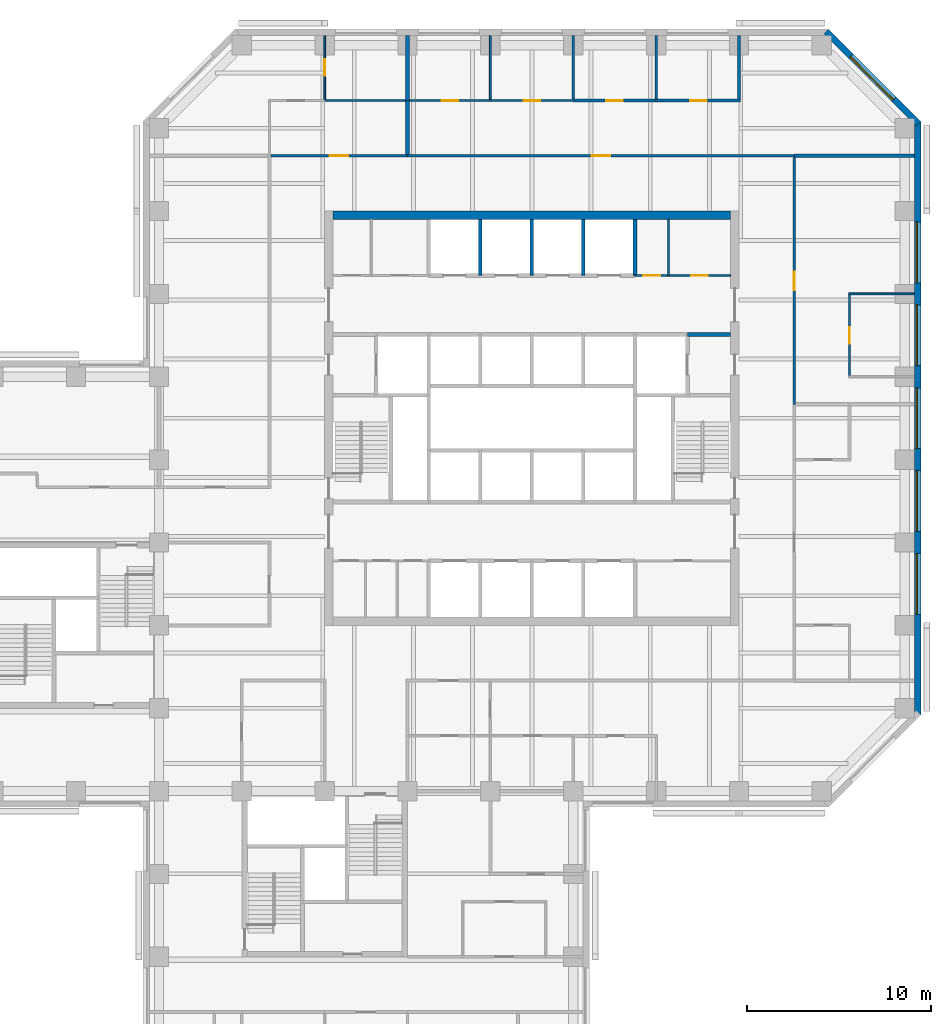
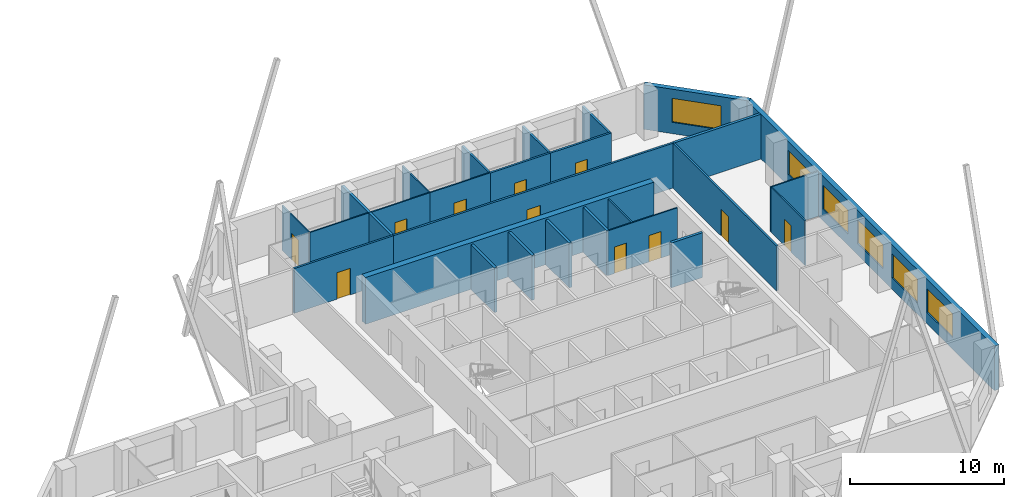
# One storey, part 8 of 10: 28 walls, 11 doors, 6 windows, 17 openings.
"""IFC4 building model written with IfcOpenShell, lengths in metres."""

from ifc_helpers import new_model, si_unit, direction, frame, frame_2d, origin, place, context, subcontext, project, spatial, rectangle, extrude, material, layer, layer_set, constituent, constituent_set, type_object, element, fill, save


model = new_model("IFC4")

# Units and contexts
model_context = context("Model", 3, precision=1e-05, world=origin(), true_north=direction((0.0, 1.0)))
body_context = subcontext(model_context, "Body", "Model", "MODEL_VIEW")
ifc_project = project(units=[si_unit("LENGTHUNIT", "METRE"), si_unit("AREAUNIT", "SQUARE_METRE"), si_unit("VOLUMEUNIT", "CUBIC_METRE"), si_unit("PLANEANGLEUNIT", "RADIAN"), si_unit("MASSUNIT", "GRAM", prefix="KILO")], contexts=[model_context])

# Site, building, storey
site_placement = place(None, origin())
site = spatial("IfcSite", under=ifc_project, at=site_placement, CompositionType="ELEMENT")
building_placement = place(site_placement, origin())
building = spatial("IfcBuilding", under=site, at=building_placement, Name="Quoin Convention Tower", CompositionType="ELEMENT")
storey_placement = place(building_placement, frame((0.0, 0.0, 97.39990234375)))
storey = spatial("IfcBuildingStorey", under=building, at=storey_placement, Name="L25", CompositionType="ELEMENT", Elevation=97.39990234375)

# Wall, opening, door
ifc_material_1 = material(Name="Plasterboard")
ifc_layer_1 = layer(ifc_material_1, 0.012451171875, Name="Finish")
ifc_material_2 = material(Name="Steel stud framing", Category="steel")
ifc_layer_2 = layer(ifc_material_2, 0.125, Name="Structure")
ifc_layer_3 = layer(ifc_material_1, 0.012451171875, Name="Finish")
ifc_layer_set_1 = layer_set([ifc_layer_1, ifc_layer_2, ifc_layer_3], Name="Steel stud framing")
wall_type_1 = type_object("IfcWallType", Name="Acoustic partition 150", PredefinedType="PARTITIONING", material=ifc_layer_set_1)
wall_1_placement = place(storey_placement, frame((58.5, 78.0, 0.0), z_axis=(0.0, 0.0, 1.0), x_axis=(1.0, 0.0, 0.0)))
wall_1 = element("IfcWall", 1, at=wall_1_placement, inside=storey, type_object=wall_type_1, Name="pw-L25-047", PredefinedType="PARTITIONING", context=body_context, shape_type="SweptSolid", body=[
    extrude(rectangle(XDim=4.5, YDim=0.14990234375, at=frame_2d((2.25, 0.0))), origin(), (0.0, 0.0, 1.0), 3.550048828125),
])
opening_1_placement = place(wall_1_placement, frame((1.800048828125, 0.0, 0.0)))
opening_1 = element("IfcOpeningElement", 2, at=opening_1_placement, cuts=wall_1, Name="Opening DOL3-21", PredefinedType="OPENING", context=body_context, shape_type="SweptSolid", body=[
    extrude(rectangle(XDim=0.89990234375, YDim=2.10009765625, at=frame_2d((0.449951171875, 1.050048828125))), frame((0.0, 0.0849609375, 0.0), z_axis=(0.0, -1.0, 0.0), x_axis=(1.0, 0.0, 0.0)), (0.0, 0.0, 1.0), 0.169921875),
])
ifc_material_3 = material(Name="Steel door leaf", Category="steel")
door_type_1 = type_object("IfcDoorType", Name="Office door 900 x 2100", OperationType="SINGLE_SWING_RIGHT", PredefinedType="DOOR", material=ifc_material_3)
door_1_placement = place(opening_1_placement, frame((0.89990234375, 0.0, 0.0), z_axis=(0.0, 0.0, 1.0), x_axis=(-1.0, 0.0, 0.0)))
door_1 = element("IfcDoor", 3, at=door_1_placement, inside=storey, type_object=door_type_1, Name="dr-L25-28", OperationType="SINGLE_SWING_LEFT", OverallHeight=2.10009765625, OverallWidth=0.89990234375, PredefinedType="DOOR", context=body_context, shape_type="SweptSolid", body=[
    extrude(rectangle(XDim=0.89990234375, YDim=2.10009765625, at=frame_2d((0.449951171875, 1.050048828125))), frame((0.0, 0.02490234375, 0.0), z_axis=(0.0, -1.0, 0.0), x_axis=(1.0, 0.0, 0.0)), (0.0, 0.0, 1.0), 0.050048828125),
])
fill(opening_1, door_1)

wall_2_placement = place(storey_placement, frame((63.0, 78.0, 0.0), z_axis=(0.0, 0.0, 1.0), x_axis=(1.0, 0.0, 0.0)))
wall_2 = element("IfcWall", 4, at=wall_2_placement, inside=storey, type_object=wall_type_1, Name="pw-L25-048", PredefinedType="PARTITIONING", context=body_context, shape_type="SweptSolid", body=[
    extrude(rectangle(XDim=4.574951171875, YDim=0.14990234375, at=frame_2d((2.28759765625, 0.0))), origin(), (0.0, 0.0, 1.0), 3.550048828125),
])
opening_2_placement = place(wall_2_placement, frame((1.85009765625, 0.0, 0.0)))
opening_2 = element("IfcOpeningElement", 5, at=opening_2_placement, cuts=wall_2, Name="Opening DOL3-22", PredefinedType="OPENING", context=body_context, shape_type="SweptSolid", body=[
    extrude(rectangle(XDim=0.89990234375, YDim=2.10009765625, at=frame_2d((0.449951171875, 1.050048828125))), frame((0.0, 0.0849609375, 0.0), z_axis=(0.0, -1.0, 0.0), x_axis=(1.0, 0.0, 0.0)), (0.0, 0.0, 1.0), 0.169921875),
])
door_2_placement = place(opening_2_placement, frame((0.89990234375, 0.0, 0.0), z_axis=(0.0, 0.0, 1.0), x_axis=(-1.0, 0.0, 0.0)))
door_2 = element("IfcDoor", 6, at=door_2_placement, inside=storey, type_object=door_type_1, Name="dr-L25-29", OperationType="SINGLE_SWING_LEFT", OverallHeight=2.10009765625, OverallWidth=0.89990234375, PredefinedType="DOOR", context=body_context, shape_type="SweptSolid", body=[
    extrude(rectangle(XDim=0.89990234375, YDim=2.10009765625, at=frame_2d((0.449951171875, 1.050048828125))), frame((0.0, 0.02490234375, 0.0), z_axis=(0.0, -1.0, 0.0), x_axis=(1.0, 0.0, 0.0)), (0.0, 0.0, 1.0), 0.050048828125),
])
fill(opening_2, door_2)

# Walls
for number, where, z_axis, x_axis, name in (
    (7, (58.5, 78.074951171875, 0.0), (0.0, 0.0, 1.0), (0.0, 1.0, 0.0), "pw-L25-088"),
    (8, (63.0, 78.074951171875, 0.0), (0.0, 0.0, 1.0), (0.0, 1.0, 0.0), "pw-L25-089"),
    (9, (67.5, 78.074951171875, 0.0), (0.0, 0.0, 1.0), (0.0, 1.0, 0.0), "pw-L25-090"),
):
    element("IfcWall", number, at=place(storey_placement, frame(where, z_axis=z_axis, x_axis=x_axis)), inside=storey, type_object=wall_type_1, Name=name, PredefinedType="PARTITIONING", context=body_context, shape_type="SweptSolid", body=[
        extrude(rectangle(XDim=3.449951171875, YDim=0.14990234375, at=frame_2d((1.72509765625, 0.0))), origin(), (0.0, 0.0, 1.0), 3.550048828125),
    ])

# Wall, openings, windows
ifc_material_4 = material(Name="Brick masonry", Category="masonry")
ifc_layer_4 = layer(ifc_material_4, 0.35009765625)
ifc_layer_set_2 = layer_set([ifc_layer_4], Name="Brick masonry")
wall_type_2 = type_object("IfcWallType", Name="Brick facade wall", PredefinedType="STANDARD", material=ifc_layer_set_2)
wall_3_placement = place(storey_placement, frame((77.199951171875, 44.6376953125, 0.0), z_axis=(0.0, 0.0, 1.0), x_axis=(0.0, 1.0, 0.0)))
wall_3 = element("IfcWall", 10, at=wall_3_placement, inside=storey, type_object=wall_type_2, Name="fw-L25-76500_45000", PredefinedType="STANDARD", context=body_context, shape_type="SweptSolid", body=[
    extrude(rectangle(XDim=32.224609375, YDim=0.35009765625, at=frame_2d((16.1123046875, 0.0))), origin(), (0.0, 0.0, 1.0), 3.525146484375),
])
opening_3_placement = place(wall_3_placement, frame((5.46240234375, 0.0, 0.89990234375)))
opening_3 = element("IfcOpeningElement", 11, at=opening_3_placement, cuts=wall_3, Name="Opening W-02", PredefinedType="OPENING", context=body_context, shape_type="SweptSolid", body=[
    extrude(rectangle(XDim=3.300048828125, YDim=1.89990234375, at=frame_2d((1.64990234375, 0.949951171875))), frame((0.0, 0.18505859375, 0.0), z_axis=(0.0, -1.0, 0.0), x_axis=(1.0, 0.0, 0.0)), (0.0, 0.0, 1.0), 0.3701171875),
])
opening_4_placement = place(wall_3_placement, frame((9.96240234375, 0.0, 0.89990234375)))
opening_4 = element("IfcOpeningElement", 12, at=opening_4_placement, cuts=wall_3, Name="Opening W-02", PredefinedType="OPENING", context=body_context, shape_type="SweptSolid", body=[
    extrude(rectangle(XDim=3.300048828125, YDim=1.89990234375, at=frame_2d((1.64990234375, 0.949951171875))), frame((0.0, 0.18505859375, 0.0), z_axis=(0.0, -1.0, 0.0), x_axis=(1.0, 0.0, 0.0)), (0.0, 0.0, 1.0), 0.3701171875),
])
opening_5_placement = place(wall_3_placement, frame((14.46240234375, 0.0, 0.89990234375)))
opening_5 = element("IfcOpeningElement", 13, at=opening_5_placement, cuts=wall_3, Name="Opening W-02", PredefinedType="OPENING", context=body_context, shape_type="SweptSolid", body=[
    extrude(rectangle(XDim=3.300048828125, YDim=1.89990234375, at=frame_2d((1.64990234375, 0.949951171875))), frame((0.0, 0.18505859375, 0.0), z_axis=(0.0, -1.0, 0.0), x_axis=(1.0, 0.0, 0.0)), (0.0, 0.0, 1.0), 0.3701171875),
])
opening_6_placement = place(wall_3_placement, frame((18.96240234375, 0.0, 0.89990234375)))
opening_6 = element("IfcOpeningElement", 14, at=opening_6_placement, cuts=wall_3, Name="Opening W-02", PredefinedType="OPENING", context=body_context, shape_type="SweptSolid", body=[
    extrude(rectangle(XDim=3.300048828125, YDim=1.89990234375, at=frame_2d((1.64990234375, 0.949951171875))), frame((0.0, 0.18505859375, 0.0), z_axis=(0.0, -1.0, 0.0), x_axis=(1.0, 0.0, 0.0)), (0.0, 0.0, 1.0), 0.3701171875),
])
opening_7_placement = place(wall_3_placement, frame((23.46240234375, 0.0, 0.89990234375)))
opening_7 = element("IfcOpeningElement", 15, at=opening_7_placement, cuts=wall_3, Name="Opening W-02", PredefinedType="OPENING", context=body_context, shape_type="SweptSolid", body=[
    extrude(rectangle(XDim=3.300048828125, YDim=1.89990234375, at=frame_2d((1.64990234375, 0.949951171875))), frame((0.0, 0.18505859375, 0.0), z_axis=(0.0, -1.0, 0.0), x_axis=(1.0, 0.0, 0.0)), (0.0, 0.0, 1.0), 0.3701171875),
])
ifc_material_5 = material(Name="Aluminium", Category="aluminium")
ifc_constituent_1 = constituent(ifc_material_5, Name="Frame")
ifc_material_6 = material(Name="Insulated glass", Category="glass")
ifc_constituent_2 = constituent(ifc_material_6, Name="Glazing")
ifc_constituent_set = constituent_set(constituents=[ifc_constituent_1, ifc_constituent_2], Name="Aluminium")
window_type = type_object("IfcWindowType", Name="Office window", PartitioningType="DOUBLE_PANEL_VERTICAL", PredefinedType="WINDOW", material=ifc_constituent_set)
window_1_placement = place(opening_3_placement, origin())
window_1 = element("IfcWindow", 16, at=window_1_placement, inside=storey, type_object=window_type, Name="win-L25-77200_51750", OverallHeight=1.89990234375, OverallWidth=3.300048828125, PartitioningType="SINGLE_PANEL", PredefinedType="WINDOW", context=body_context, shape_type="SweptSolid", body=[
    extrude(rectangle(XDim=3.300048828125, YDim=1.89990234375, at=frame_2d((1.64990234375, 0.949951171875))), frame((0.0, 0.0849609375, 0.0), z_axis=(0.0, -1.0, 0.0), x_axis=(1.0, 0.0, 0.0)), (0.0, 0.0, 1.0), 0.06005859375),
])
fill(opening_3, window_1)
window_2_placement = place(opening_4_placement, origin())
window_2 = element("IfcWindow", 17, at=window_2_placement, inside=storey, type_object=window_type, Name="win-L25-77200_56250", OverallHeight=1.89990234375, OverallWidth=3.300048828125, PartitioningType="SINGLE_PANEL", PredefinedType="WINDOW", context=body_context, shape_type="SweptSolid", body=[
    extrude(rectangle(XDim=3.300048828125, YDim=1.89990234375, at=frame_2d((1.64990234375, 0.949951171875))), frame((0.0, 0.0849609375, 0.0), z_axis=(0.0, -1.0, 0.0), x_axis=(1.0, 0.0, 0.0)), (0.0, 0.0, 1.0), 0.06005859375),
])
fill(opening_4, window_2)
window_3_placement = place(opening_5_placement, origin())
window_3 = element("IfcWindow", 18, at=window_3_placement, inside=storey, type_object=window_type, Name="win-L25-77200_60750", OverallHeight=1.89990234375, OverallWidth=3.300048828125, PartitioningType="SINGLE_PANEL", PredefinedType="WINDOW", context=body_context, shape_type="SweptSolid", body=[
    extrude(rectangle(XDim=3.300048828125, YDim=1.89990234375, at=frame_2d((1.64990234375, 0.949951171875))), frame((0.0, 0.0849609375, 0.0), z_axis=(0.0, -1.0, 0.0), x_axis=(1.0, 0.0, 0.0)), (0.0, 0.0, 1.0), 0.06005859375),
])
fill(opening_5, window_3)
window_4_placement = place(opening_6_placement, origin())
window_4 = element("IfcWindow", 19, at=window_4_placement, inside=storey, type_object=window_type, Name="win-L25-77200_65250", OverallHeight=1.89990234375, OverallWidth=3.300048828125, PartitioningType="SINGLE_PANEL", PredefinedType="WINDOW", context=body_context, shape_type="SweptSolid", body=[
    extrude(rectangle(XDim=3.300048828125, YDim=1.89990234375, at=frame_2d((1.64990234375, 0.949951171875))), frame((0.0, 0.0849609375, 0.0), z_axis=(0.0, -1.0, 0.0), x_axis=(1.0, 0.0, 0.0)), (0.0, 0.0, 1.0), 0.06005859375),
])
fill(opening_6, window_4)
window_5_placement = place(opening_7_placement, origin())
window_5 = element("IfcWindow", 20, at=window_5_placement, inside=storey, type_object=window_type, Name="win-L25-77200_69750", OverallHeight=1.89990234375, OverallWidth=3.300048828125, PartitioningType="SINGLE_PANEL", PredefinedType="WINDOW", context=body_context, shape_type="SweptSolid", body=[
    extrude(rectangle(XDim=3.300048828125, YDim=1.89990234375, at=frame_2d((1.64990234375, 0.949951171875))), frame((0.0, 0.0849609375, 0.0), z_axis=(0.0, -1.0, 0.0), x_axis=(1.0, 0.0, 0.0)), (0.0, 0.0, 1.0), 0.06005859375),
])
fill(opening_7, window_5)

# Wall, opening, window
wall_4_placement = place(storey_placement, frame((77.251220703125, 76.73876953125, 0.0), z_axis=(0.0, 0.0, 1.0), x_axis=(-0.707106781187, 0.707106781187, 0.0)))
wall_4 = element("IfcWall", 21, at=wall_4_placement, inside=storey, type_object=wall_type_2, Name="fw-L25-76500_76500", PredefinedType="STANDARD", context=body_context, shape_type="SweptSolid", body=[
    extrude(rectangle(XDim=7.088623046875, YDim=0.35009765625, at=frame_2d((3.54443359375, 0.0))), origin(), (0.0, 0.0, 1.0), 3.525146484375),
])
opening_8_placement = place(wall_4_placement, frame((1.894287109375, 0.0, 0.89990234375)))
opening_8 = element("IfcOpeningElement", 22, at=opening_8_placement, cuts=wall_4, Name="Opening W-02", PredefinedType="OPENING", context=body_context, shape_type="SweptSolid", body=[
    extrude(rectangle(XDim=3.300048828125, YDim=1.89990234375, at=frame_2d((1.64990234375, 0.949951171875))), frame((0.0, 0.18505859375, 0.0), z_axis=(0.0, -1.0, 0.0), x_axis=(1.0, 0.0, 0.0)), (0.0, 0.0, 1.0), 0.3701171875),
])
window_6_placement = place(opening_8_placement, origin())
window_6 = element("IfcWindow", 23, at=window_6_placement, inside=storey, type_object=window_type, Name="win-L25-74745_79245", OverallHeight=1.89990234375, OverallWidth=3.300048828125, PartitioningType="SINGLE_PANEL", PredefinedType="WINDOW", context=body_context, shape_type="SweptSolid", body=[
    extrude(rectangle(XDim=3.300048828125, YDim=1.89990234375, at=frame_2d((1.64990234375, 0.949951171875))), frame((0.0, 0.0849609375, 0.0), z_axis=(0.0, -1.0, 0.0), x_axis=(1.0, 0.0, 0.0)), (0.0, 0.0, 1.0), 0.06005859375),
])
fill(opening_8, window_6)

# Wall, openings, doors
ifc_layer_5 = layer(ifc_material_1, 0.012451171875, Name="Finish")
ifc_layer_6 = layer(ifc_material_2, 0.074951171875, Name="Structure")
ifc_layer_7 = layer(ifc_material_1, 0.012451171875, Name="Finish")
ifc_layer_set_3 = layer_set([ifc_layer_5, ifc_layer_6, ifc_layer_7], Name="Steel stud framing")
wall_type_3 = type_object("IfcWallType", Name="Core partition wall", PredefinedType="PARTITIONING", material=ifc_layer_set_3)
wall_5_placement = place(storey_placement, frame((61.85009765625, 68.5, 0.0), z_axis=(0.0, 0.0, 1.0), x_axis=(1.0, 0.0, 0.0)))
wall_5 = element("IfcWall", 24, at=wall_5_placement, inside=storey, type_object=wall_type_3, Name="cr-C1-L25-h19000_16850", PredefinedType="PARTITIONING", context=body_context, shape_type="SweptSolid", body=[
    extrude(rectangle(XDim=5.199951171875, YDim=0.10009765625, at=frame_2d((2.60009765625, 0.0))), origin(), (0.0, 0.0, 1.0), 3.550048828125),
])
opening_9_placement = place(wall_5_placement, frame((3.06005859375, 0.0, 0.0)))
opening_9 = element("IfcOpeningElement", 25, at=opening_9_placement, cuts=wall_5, Name="Opening DCV3-04", PredefinedType="OPENING", context=body_context, shape_type="SweptSolid", body=[
    extrude(rectangle(XDim=0.89990234375, YDim=2.10009765625, at=frame_2d((0.449951171875, 1.050048828125))), frame((0.0, 0.06005859375, 0.0), z_axis=(0.0, -1.0, 0.0), x_axis=(1.0, 0.0, 0.0)), (0.0, 0.0, 1.0), 0.1201171875),
])
opening_10_placement = place(wall_5_placement, frame((0.4599609375, 0.0, 0.0)))
opening_10 = element("IfcOpeningElement", 26, at=opening_10_placement, cuts=wall_5, Name="Opening DCV3-02", PredefinedType="OPENING", context=body_context, shape_type="SweptSolid", body=[
    extrude(rectangle(XDim=0.89990234375, YDim=2.10009765625, at=frame_2d((0.449951171875, 1.050048828125))), frame((0.0, 0.06005859375, 0.0), z_axis=(0.0, -1.0, 0.0), x_axis=(1.0, 0.0, 0.0)), (0.0, 0.0, 1.0), 0.1201171875),
])
door_type_2 = type_object("IfcDoorType", Name="Core room door 900 x 2100", OperationType="SINGLE_SWING_LEFT", PredefinedType="DOOR", material=ifc_material_3)
door_3_placement = place(opening_9_placement, origin())
door_3 = element("IfcDoor", 27, at=door_3_placement, inside=storey, type_object=door_type_2, Name="cd-C1-L25-CNE0-lobB-CD2507", OperationType="SINGLE_SWING_RIGHT", OverallHeight=2.10009765625, OverallWidth=0.89990234375, PredefinedType="DOOR", context=body_context, shape_type="SweptSolid", body=[
    extrude(rectangle(XDim=0.89990234375, YDim=2.10009765625, at=frame_2d((0.449951171875, 1.050048828125))), frame((0.0, 0.02490234375, 0.0), z_axis=(0.0, -1.0, 0.0), x_axis=(1.0, 0.0, 0.0)), (0.0, 0.0, 1.0), 0.050048828125),
])
fill(opening_9, door_3)
door_4_placement = place(opening_10_placement, origin())
door_4 = element("IfcDoor", 28, at=door_4_placement, inside=storey, type_object=door_type_2, Name="cd-C1-L25-CNE1-lobB-CD2508", OperationType="SINGLE_SWING_LEFT", OverallHeight=2.10009765625, OverallWidth=0.89990234375, PredefinedType="DOOR", context=body_context, shape_type="SweptSolid", body=[
    extrude(rectangle(XDim=0.89990234375, YDim=2.10009765625, at=frame_2d((0.449951171875, 1.050048828125))), frame((0.0, 0.02490234375, 0.0), z_axis=(0.0, -1.0, 0.0), x_axis=(1.0, 0.0, 0.0)), (0.0, 0.0, 1.0), 0.050048828125),
])
fill(opening_10, door_4)

# Walls
wall_6_placement = place(storey_placement, frame((63.669921875, 68.5, 0.0), z_axis=(0.0, 0.0, 1.0), x_axis=(0.0, 1.0, 0.0)))
element("IfcWall", 29, at=wall_6_placement, inside=storey, type_object=wall_type_3, Name="cr-C1-L25-v18670_19000", PredefinedType="PARTITIONING", context=body_context, shape_type="SweptSolid", body=[
    extrude(rectangle(XDim=3.050048828125, YDim=0.10009765625, at=frame_2d((1.52490234375, 0.0))), origin(), (0.0, 0.0, 1.0), 3.550048828125),
])
ifc_material_7 = material(Name="Concrete C50", Category="concrete")
ifc_layer_8 = layer(ifc_material_7, 0.199951171875)
ifc_layer_set_4 = layer_set([ifc_layer_8], Name="Concrete C50")
wall_type_4 = type_object("IfcWallType", Name="Core shaft wall", PredefinedType="SOLIDWALL", material=ifc_layer_set_4)
wall_7_placement = place(storey_placement, frame((64.699951171875, 65.300048828125, 0.0), z_axis=(0.0, 0.0, 1.0), x_axis=(1.0, 0.0, 0.0)))
element("IfcWall", 30, at=wall_7_placement, inside=storey, type_object=wall_type_4, Name="cr-C1-L25-h15800_19700", PredefinedType="SOLIDWALL", context=body_context, shape_type="SweptSolid", body=[
    extrude(rectangle(XDim=2.35009765625, YDim=0.199951171875, at=frame_2d((1.175048828125, 0.0))), origin(), (0.0, 0.0, 1.0), 3.550048828125),
])
for number, where, z_axis, x_axis, name in (
    (31, (53.449951171875, 68.5, 0.0), (0.0, 0.0, 1.0), (0.0, 1.0, 0.0), "cr-C1-L25-v8450_19000"),
    (32, (56.25, 68.5, 0.0), (0.0, 0.0, 1.0), (0.0, 1.0, 0.0), "cr-C1-L25-v11250_19000"),
    (33, (59.050048828125, 68.5, 0.0), (0.0, 0.0, 1.0), (0.0, 1.0, 0.0), "cr-C1-L25-v14050_19000"),
    (34, (61.85009765625, 68.5, 0.0), (0.0, 0.0, 1.0), (0.0, 1.0, 0.0), "cr-C1-L25-v16850_19000"),
):
    element("IfcWall", number, at=place(storey_placement, frame(where, z_axis=z_axis, x_axis=x_axis)), inside=storey, type_object=wall_type_4, Name=name, PredefinedType="SOLIDWALL", context=body_context, shape_type="SweptSolid", body=[
        extrude(rectangle(XDim=3.050048828125, YDim=0.199951171875, at=frame_2d((1.52490234375, 0.0))), origin(), (0.0, 0.0, 1.0), 3.550048828125),
    ])

# Wall, opening, door
ifc_layer_9 = layer(ifc_material_1, 0.012451171875, Name="Finish")
ifc_layer_10 = layer(ifc_material_2, 0.125, Name="Structure")
ifc_layer_11 = layer(ifc_material_1, 0.012451171875, Name="Finish")
ifc_layer_set_5 = layer_set([ifc_layer_9, ifc_layer_10, ifc_layer_11], Name="Steel stud framing")
wall_type_5 = type_object("IfcWallType", Name="Corridor wall 150", PredefinedType="PARTITIONING", material=ifc_layer_set_5)
wall_8_placement = place(storey_placement, frame((42.074951171875, 75.0, 0.0), z_axis=(0.0, 0.0, 1.0), x_axis=(1.0, 0.0, 0.0)))
wall_8 = element("IfcWall", 35, at=wall_8_placement, inside=storey, type_object=wall_type_5, Name="pw-L25-040", PredefinedType="PARTITIONING", context=body_context, shape_type="SweptSolid", body=[
    extrude(rectangle(XDim=7.425048828125, YDim=0.14990234375, at=frame_2d((3.71240234375, 0.0))), origin(), (0.0, 0.0, 1.0), 3.550048828125),
])
opening_11_placement = place(wall_8_placement, frame((3.199951171875, 0.0, 0.0)))
opening_11 = element("IfcOpeningElement", 36, at=opening_11_placement, cuts=wall_8, Name="Opening DOL3-16", PredefinedType="OPENING", context=body_context, shape_type="SweptSolid", body=[
    extrude(rectangle(XDim=1.0, YDim=2.10009765625, at=frame_2d((0.5, 1.050048828125))), frame((0.0, 0.0849609375, 0.0), z_axis=(0.0, -1.0, 0.0), x_axis=(1.0, 0.0, 0.0)), (0.0, 0.0, 1.0), 0.169921875),
])
door_type_3 = type_object("IfcDoorType", Name="Tenancy entrance door 1000 x 2100", OperationType="DOUBLE_DOOR_SINGLE_SWING", PredefinedType="DOOR", material=ifc_material_3)
door_5_placement = place(opening_11_placement, origin())
door_5 = element("IfcDoor", 37, at=door_5_placement, inside=storey, type_object=door_type_3, Name="dr-L25-22", OperationType="DOUBLE_DOOR_SINGLE_SWING", OverallHeight=2.10009765625, OverallWidth=1.0, PredefinedType="DOOR", context=body_context, shape_type="SweptSolid", body=[
    extrude(rectangle(XDim=1.0, YDim=2.10009765625, at=frame_2d((0.5, 1.050048828125))), frame((0.0, 0.02490234375, 0.0), z_axis=(0.0, -1.0, 0.0), x_axis=(1.0, 0.0, 0.0)), (0.0, 0.0, 1.0), 0.050048828125),
])
fill(opening_11, door_5)

wall_9_placement = place(storey_placement, frame((49.5, 75.0, 0.0), z_axis=(0.0, 0.0, 1.0), x_axis=(1.0, 0.0, 0.0)))
wall_9 = element("IfcWall", 38, at=wall_9_placement, inside=storey, type_object=wall_type_5, Name="pw-L25-041", PredefinedType="PARTITIONING", context=body_context, shape_type="SweptSolid", body=[
    extrude(rectangle(XDim=21.0, YDim=0.14990234375, at=frame_2d((10.5, 0.0))), origin(), (0.0, 0.0, 1.0), 3.550048828125),
])
opening_12_placement = place(wall_9_placement, frame((10.0, 0.0, 0.0)))
opening_12 = element("IfcOpeningElement", 39, at=opening_12_placement, cuts=wall_9, Name="Opening DOL3-17", PredefinedType="OPENING", context=body_context, shape_type="SweptSolid", body=[
    extrude(rectangle(XDim=1.0, YDim=2.10009765625, at=frame_2d((0.5, 1.050048828125))), frame((0.0, 0.0849609375, 0.0), z_axis=(0.0, -1.0, 0.0), x_axis=(1.0, 0.0, 0.0)), (0.0, 0.0, 1.0), 0.169921875),
])
door_6_placement = place(opening_12_placement, origin())
door_6 = element("IfcDoor", 40, at=door_6_placement, inside=storey, type_object=door_type_3, Name="dr-L25-25", OperationType="DOUBLE_DOOR_SINGLE_SWING", OverallHeight=2.10009765625, OverallWidth=1.0, PredefinedType="DOOR", context=body_context, shape_type="SweptSolid", body=[
    extrude(rectangle(XDim=1.0, YDim=2.10009765625, at=frame_2d((0.5, 1.050048828125))), frame((0.0, 0.02490234375, 0.0), z_axis=(0.0, -1.0, 0.0), x_axis=(1.0, 0.0, 0.0)), (0.0, 0.0, 1.0), 0.050048828125),
])
fill(opening_12, door_6)

wall_10_placement = place(storey_placement, frame((70.5, 61.5, 0.0), z_axis=(0.0, 0.0, 1.0), x_axis=(0.0, 1.0, 0.0)))
wall_10 = element("IfcWall", 41, at=wall_10_placement, inside=storey, type_object=wall_type_5, Name="pw-L25-081", PredefinedType="PARTITIONING", context=body_context, shape_type="SweptSolid", body=[
    extrude(rectangle(XDim=13.39990234375, YDim=0.14990234375, at=frame_2d((6.699951171875, 0.0))), origin(), (0.0, 0.0, 1.0), 3.550048828125),
])
opening_13_placement = place(wall_10_placement, frame((6.199951171875, 0.0, 0.0)))
opening_13 = element("IfcOpeningElement", 42, at=opening_13_placement, cuts=wall_10, Name="Opening DOL3-28", PredefinedType="OPENING", context=body_context, shape_type="SweptSolid", body=[
    extrude(rectangle(XDim=1.0, YDim=2.10009765625, at=frame_2d((0.5, 1.050048828125))), frame((0.0, 0.0849609375, 0.0), z_axis=(0.0, -1.0, 0.0), x_axis=(1.0, 0.0, 0.0)), (0.0, 0.0, 1.0), 0.169921875),
])
door_7_placement = place(opening_13_placement, frame((1.0, 0.0, 0.0), z_axis=(0.0, 0.0, 1.0), x_axis=(-1.0, 0.0, 0.0)))
door_7 = element("IfcDoor", 43, at=door_7_placement, inside=storey, type_object=door_type_3, Name="dr-L25-20", OperationType="DOUBLE_DOOR_SINGLE_SWING", OverallHeight=2.10009765625, OverallWidth=1.0, PredefinedType="DOOR", context=body_context, shape_type="SweptSolid", body=[
    extrude(rectangle(XDim=1.0, YDim=2.10009765625, at=frame_2d((0.5, 1.050048828125))), frame((0.0, 0.02490234375, 0.0), z_axis=(0.0, -1.0, 0.0), x_axis=(1.0, 0.0, 0.0)), (0.0, 0.0, 1.0), 0.050048828125),
])
fill(opening_13, door_7)

# Walls
ifc_material_8 = material(Name="Concrete C65", Category="concrete")
ifc_layer_12 = layer(ifc_material_8, 0.449951171875)
ifc_layer_set_6 = layer_set([ifc_layer_12], Name="Concrete C65")
wall_type_6 = type_object("IfcWallType", Name="RC CORE WALL 450 C65", PredefinedType="SHEAR", material=ifc_layer_set_6)
wall_11_placement = place(storey_placement, frame((45.449951171875, 71.77490234375, 0.0), z_axis=(0.0, 0.0, 1.0), x_axis=(1.0, 0.0, 0.0)))
element("IfcWall", 44, at=wall_11_placement, inside=storey, type_object=wall_type_6, Name="cwl-C1-L25-N", PredefinedType="SHEAR", context=body_context, shape_type="SweptSolid", body=[
    extrude(rectangle(XDim=21.60009765625, YDim=0.449951171875, at=frame_2d((10.800048828125, 0.0))), origin(), (0.0, 0.0, 1.0), 3.7001953125),
])
ifc_layer_13 = layer(ifc_material_1, 0.012451171875, Name="Finish")
ifc_layer_14 = layer(ifc_material_2, 0.074951171875, Name="Structure")
ifc_layer_15 = layer(ifc_material_1, 0.012451171875, Name="Finish")
ifc_layer_set_7 = layer_set([ifc_layer_13, ifc_layer_14, ifc_layer_15], Name="Steel stud framing")
wall_type_7 = type_object("IfcWallType", Name="Stud partition 100", PredefinedType="PARTITIONING", material=ifc_layer_set_7)
wall_12_placement = place(storey_placement, frame((73.449951171875, 67.5, 0.0), z_axis=(0.0, 0.0, 1.0), x_axis=(1.0, 0.0, 0.0)))
element("IfcWall", 45, at=wall_12_placement, inside=storey, type_object=wall_type_7, Name="pw-L25-038", PredefinedType="PARTITIONING", context=body_context, shape_type="SweptSolid", body=[
    extrude(rectangle(XDim=3.574951171875, YDim=0.10009765625, at=frame_2d((1.78759765625, 0.0))), origin(), (0.0, 0.0, 1.0), 3.550048828125),
])
wall_13_placement = place(storey_placement, frame((45.0, 78.0, 0.0), z_axis=(0.0, 0.0, 1.0), x_axis=(1.0, 0.0, 0.0)))
element("IfcWall", 46, at=wall_13_placement, inside=storey, type_object=wall_type_7, Name="pw-L25-044", PredefinedType="PARTITIONING", context=body_context, shape_type="SweptSolid", body=[
    extrude(rectangle(XDim=4.39990234375, YDim=0.10009765625, at=frame_2d((2.199951171875, 0.0))), origin(), (0.0, 0.0, 1.0), 3.550048828125),
])

# Wall, opening, door
wall_14_placement = place(storey_placement, frame((49.60009765625, 78.0, 0.0), z_axis=(0.0, 0.0, 1.0), x_axis=(1.0, 0.0, 0.0)))
wall_14 = element("IfcWall", 47, at=wall_14_placement, inside=storey, type_object=wall_type_7, Name="pw-L25-045", PredefinedType="PARTITIONING", context=body_context, shape_type="SweptSolid", body=[
    extrude(rectangle(XDim=4.39990234375, YDim=0.10009765625, at=frame_2d((2.199951171875, 0.0))), origin(), (0.0, 0.0, 1.0), 3.550048828125),
])
opening_14_placement = place(wall_14_placement, frame((1.75, 0.0, 0.0)))
opening_14 = element("IfcOpeningElement", 48, at=opening_14_placement, cuts=wall_14, Name="Opening DOL3-19", PredefinedType="OPENING", context=body_context, shape_type="SweptSolid", body=[
    extrude(rectangle(XDim=0.89990234375, YDim=2.10009765625, at=frame_2d((0.449951171875, 1.050048828125))), frame((0.0, 0.06005859375, 0.0), z_axis=(0.0, -1.0, 0.0), x_axis=(1.0, 0.0, 0.0)), (0.0, 0.0, 1.0), 0.1201171875),
])
door_8_placement = place(opening_14_placement, frame((0.89990234375, 0.0, 0.0), z_axis=(0.0, 0.0, 1.0), x_axis=(-1.0, 0.0, 0.0)))
door_8 = element("IfcDoor", 49, at=door_8_placement, inside=storey, type_object=door_type_1, Name="dr-L25-26", OperationType="SINGLE_SWING_LEFT", OverallHeight=2.10009765625, OverallWidth=0.89990234375, PredefinedType="DOOR", context=body_context, shape_type="SweptSolid", body=[
    extrude(rectangle(XDim=0.89990234375, YDim=2.10009765625, at=frame_2d((0.449951171875, 1.050048828125))), frame((0.0, 0.02490234375, 0.0), z_axis=(0.0, -1.0, 0.0), x_axis=(1.0, 0.0, 0.0)), (0.0, 0.0, 1.0), 0.050048828125),
])
fill(opening_14, door_8)

wall_15_placement = place(storey_placement, frame((54.0, 78.0, 0.0), z_axis=(0.0, 0.0, 1.0), x_axis=(1.0, 0.0, 0.0)))
wall_15 = element("IfcWall", 50, at=wall_15_placement, inside=storey, type_object=wall_type_7, Name="pw-L25-046", PredefinedType="PARTITIONING", context=body_context, shape_type="SweptSolid", body=[
    extrude(rectangle(XDim=4.5, YDim=0.10009765625, at=frame_2d((2.25, 0.0))), origin(), (0.0, 0.0, 1.0), 3.550048828125),
])
opening_15_placement = place(wall_15_placement, frame((1.800048828125, 0.0, 0.0)))
opening_15 = element("IfcOpeningElement", 51, at=opening_15_placement, cuts=wall_15, Name="Opening DOL3-20", PredefinedType="OPENING", context=body_context, shape_type="SweptSolid", body=[
    extrude(rectangle(XDim=0.89990234375, YDim=2.10009765625, at=frame_2d((0.449951171875, 1.050048828125))), frame((0.0, 0.06005859375, 0.0), z_axis=(0.0, -1.0, 0.0), x_axis=(1.0, 0.0, 0.0)), (0.0, 0.0, 1.0), 0.1201171875),
])
door_9_placement = place(opening_15_placement, frame((0.89990234375, 0.0, 0.0), z_axis=(0.0, 0.0, 1.0), x_axis=(-1.0, 0.0, 0.0)))
door_9 = element("IfcDoor", 52, at=door_9_placement, inside=storey, type_object=door_type_1, Name="dr-L25-27", OperationType="SINGLE_SWING_LEFT", OverallHeight=2.10009765625, OverallWidth=0.89990234375, PredefinedType="DOOR", context=body_context, shape_type="SweptSolid", body=[
    extrude(rectangle(XDim=0.89990234375, YDim=2.10009765625, at=frame_2d((0.449951171875, 1.050048828125))), frame((0.0, 0.02490234375, 0.0), z_axis=(0.0, -1.0, 0.0), x_axis=(1.0, 0.0, 0.0)), (0.0, 0.0, 1.0), 0.050048828125),
])
fill(opening_15, door_9)

wall_16_placement = place(storey_placement, frame((73.5, 63.050048828125, 0.0), z_axis=(0.0, 0.0, 1.0), x_axis=(0.0, 1.0, 0.0)))
wall_16 = element("IfcWall", 53, at=wall_16_placement, inside=storey, type_object=wall_type_7, Name="pw-L25-082", PredefinedType="PARTITIONING", context=body_context, shape_type="SweptSolid", body=[
    extrude(rectangle(XDim=4.39990234375, YDim=0.10009765625, at=frame_2d((2.199951171875, 0.0))), origin(), (0.0, 0.0, 1.0), 3.550048828125),
])
opening_16_placement = place(wall_16_placement, frame((1.75, 0.0, 0.0)))
opening_16 = element("IfcOpeningElement", 54, at=opening_16_placement, cuts=wall_16, Name="Opening DOL3-29", PredefinedType="OPENING", context=body_context, shape_type="SweptSolid", body=[
    extrude(rectangle(XDim=0.89990234375, YDim=2.10009765625, at=frame_2d((0.449951171875, 1.050048828125))), frame((0.0, 0.06005859375, 0.0), z_axis=(0.0, -1.0, 0.0), x_axis=(1.0, 0.0, 0.0)), (0.0, 0.0, 1.0), 0.1201171875),
])
door_10_placement = place(opening_16_placement, origin())
door_10 = element("IfcDoor", 55, at=door_10_placement, inside=storey, type_object=door_type_1, Name="dr-L25-21", OperationType="SINGLE_SWING_RIGHT", OverallHeight=2.10009765625, OverallWidth=0.89990234375, PredefinedType="DOOR", context=body_context, shape_type="SweptSolid", body=[
    extrude(rectangle(XDim=0.89990234375, YDim=2.10009765625, at=frame_2d((0.449951171875, 1.050048828125))), frame((0.0, 0.02490234375, 0.0), z_axis=(0.0, -1.0, 0.0), x_axis=(1.0, 0.0, 0.0)), (0.0, 0.0, 1.0), 0.050048828125),
])
fill(opening_16, door_10)

wall_17_placement = place(storey_placement, frame((45.0, 78.050048828125, 0.0), z_axis=(0.0, 0.0, 1.0), x_axis=(0.0, 1.0, 0.0)))
wall_17 = element("IfcWall", 56, at=wall_17_placement, inside=storey, type_object=wall_type_7, Name="pw-L25-086", PredefinedType="PARTITIONING", context=body_context, shape_type="SweptSolid", body=[
    extrude(rectangle(XDim=3.474853515625, YDim=0.10009765625, at=frame_2d((1.7373046875, 0.0))), origin(), (0.0, 0.0, 1.0), 3.550048828125),
])
opening_17_placement = place(wall_17_placement, frame((1.300048828125, 0.0, 0.0)))
opening_17 = element("IfcOpeningElement", 57, at=opening_17_placement, cuts=wall_17, Name="Opening DOL3-30", PredefinedType="OPENING", context=body_context, shape_type="SweptSolid", body=[
    extrude(rectangle(XDim=0.89990234375, YDim=2.10009765625, at=frame_2d((0.449951171875, 1.050048828125))), frame((0.0, 0.06005859375, 0.0), z_axis=(0.0, -1.0, 0.0), x_axis=(1.0, 0.0, 0.0)), (0.0, 0.0, 1.0), 0.1201171875),
])
door_11_placement = place(opening_17_placement, origin())
door_11 = element("IfcDoor", 58, at=door_11_placement, inside=storey, type_object=door_type_1, Name="dr-L25-24", OperationType="SINGLE_SWING_RIGHT", OverallHeight=2.10009765625, OverallWidth=0.89990234375, PredefinedType="DOOR", context=body_context, shape_type="SweptSolid", body=[
    extrude(rectangle(XDim=0.89990234375, YDim=2.10009765625, at=frame_2d((0.449951171875, 1.050048828125))), frame((0.0, 0.02490234375, 0.0), z_axis=(0.0, -1.0, 0.0), x_axis=(1.0, 0.0, 0.0)), (0.0, 0.0, 1.0), 0.050048828125),
])
fill(opening_17, door_11)

# Walls
wall_18_placement = place(storey_placement, frame((54.0, 78.050048828125, 0.0), z_axis=(0.0, 0.0, 1.0), x_axis=(0.0, 1.0, 0.0)))
element("IfcWall", 59, at=wall_18_placement, inside=storey, type_object=wall_type_7, Name="pw-L25-087", PredefinedType="PARTITIONING", context=body_context, shape_type="SweptSolid", body=[
    extrude(rectangle(XDim=3.474853515625, YDim=0.10009765625, at=frame_2d((1.7373046875, 0.0))), origin(), (0.0, 0.0, 1.0), 3.550048828125),
])
ifc_layer_16 = layer(ifc_material_1, 0.012451171875, Name="Finish")
ifc_layer_17 = layer(ifc_material_2, 0.175048828125, Name="Structure")
ifc_layer_18 = layer(ifc_material_1, 0.012451171875, Name="Finish")
ifc_layer_set_8 = layer_set([ifc_layer_16, ifc_layer_17, ifc_layer_18], Name="Steel stud framing")
wall_type_8 = type_object("IfcWallType", Name="Tenancy demising wall 200", PredefinedType="PARTITIONING", material=ifc_layer_set_8)
wall_19_placement = place(storey_placement, frame((70.5, 75.0, 0.0), z_axis=(0.0, 0.0, 1.0), x_axis=(1.0, 0.0, 0.0)))
element("IfcWall", 60, at=wall_19_placement, inside=storey, type_object=wall_type_8, Name="pw-L25-042", PredefinedType="PARTITIONING", context=body_context, shape_type="SweptSolid", body=[
    extrude(rectangle(XDim=6.52490234375, YDim=0.199951171875, at=frame_2d((3.262451171875, 0.0))), origin(), (0.0, 0.0, 1.0), 3.550048828125),
])
wall_20_placement = place(storey_placement, frame((49.5, 75.074951171875, 0.0), z_axis=(0.0, 0.0, 1.0), x_axis=(0.0, 1.0, 0.0)))
element("IfcWall", 61, at=wall_20_placement, inside=storey, type_object=wall_type_8, Name="pw-L25-084", PredefinedType="PARTITIONING", context=body_context, shape_type="SweptSolid", body=[
    extrude(rectangle(XDim=2.925048828125, YDim=0.199951171875, at=frame_2d((1.46240234375, 0.0))), origin(), (0.0, 0.0, 1.0), 3.550048828125),
])
wall_21_placement = place(storey_placement, frame((49.5, 78.0, 0.0), z_axis=(0.0, 0.0, 1.0), x_axis=(0.0, 1.0, 0.0)))
element("IfcWall", 62, at=wall_21_placement, inside=storey, type_object=wall_type_8, Name="pw-L25-085", PredefinedType="PARTITIONING", context=body_context, shape_type="SweptSolid", body=[
    extrude(rectangle(XDim=3.52490234375, YDim=0.199951171875, at=frame_2d((1.762451171875, 0.0))), origin(), (0.0, 0.0, 1.0), 3.550048828125),
])

save(model, "model.ifc")
